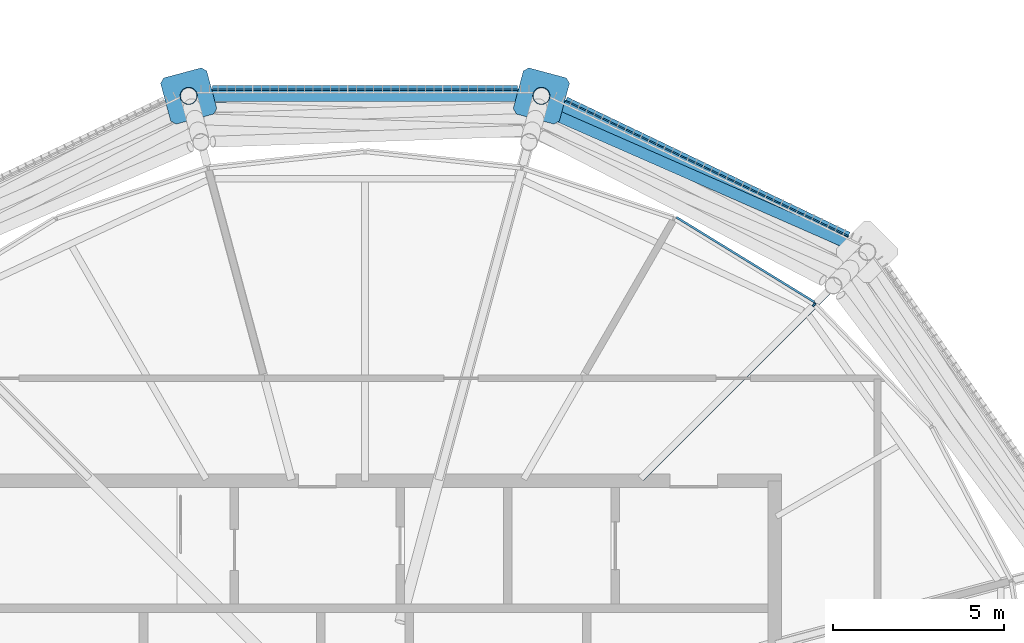
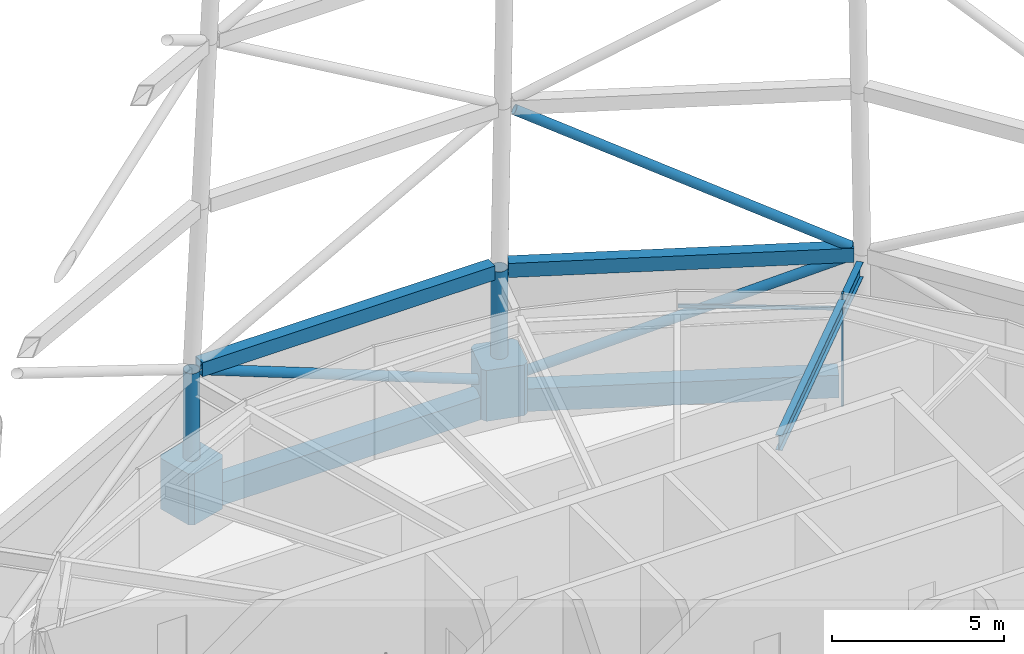
# One storey, part 34 of 71: 9 members, 5 beams, 1 element without a shape of its own.
"""IFC4 building model written with IfcOpenShell, lengths in metres."""

from ifc_helpers import new_model, si_unit, direction, frame, origin, origin_2d, place, context, subcontext, project, spatial, polyline, rectangle, hollow_rectangle, hollow_circle, i_section, outline, extrude, material, material_profile, profile_set, type_object, element, aggregate, save


model = new_model("IFC4")

# Units and contexts
model_context = context("Model", 3, precision=1e-05, world=origin(), true_north=direction((0.0, 1.0)))
body_context = subcontext(model_context, "Body", "Model", "MODEL_VIEW")
ifc_project = project(units=[si_unit("LENGTHUNIT", "METRE"), si_unit("AREAUNIT", "SQUARE_METRE"), si_unit("VOLUMEUNIT", "CUBIC_METRE"), si_unit("PLANEANGLEUNIT", "RADIAN"), si_unit("MASSUNIT", "GRAM", prefix="KILO")], contexts=[model_context])

# Site, building, storey
site_placement = place(None, origin())
site = spatial("IfcSite", under=ifc_project, at=site_placement, CompositionType="ELEMENT")
building_placement = place(site_placement, origin())
building = spatial("IfcBuilding", under=site, at=building_placement, Name="Rimbun Link Towers", CompositionType="ELEMENT")
storey_placement = place(building_placement, frame((0.0, 0.0, 267.60009765625)))
storey = spatial("IfcBuildingStorey", under=building, at=storey_placement, Name="L65", CompositionType="ELEMENT", Elevation=267.60009765625)

# Curtain wall, members
ifc_material_1 = material(Name="Aluminium 6063-T6 louvre wall", Category="aluminium")
curtain_wall_type = type_object("IfcCurtainWallType", Name="CW6 plant floor louvre wall", PredefinedType="NOTDEFINED", material=ifc_material_1)
curtain_wall_placement = place(storey_placement, origin())
curtain_wall = element("IfcCurtainWall", 1, at=curtain_wall_placement, inside=storey, type_object=curtain_wall_type, Name="CW6 L65 T1", PredefinedType="NOTDEFINED")
ifc_material_2 = material(Name="Aluminium 6063-T6", Category="aluminium")
ifc_material_profile_1 = material_profile(ifc_material_2, rectangle(XDim=0.1201171875, YDim=0.06005859375, at=origin_2d()), Name="MULLION 60X120")
ifc_profile_set_1 = profile_set([ifc_material_profile_1], Name="Aluminium 6063-T6")
member_type_1 = type_object("IfcMemberType", Name="CW6 mullion 60X120", PredefinedType="MULLION", material=ifc_profile_set_1)
member_1_placement = place(storey_placement, frame((-18.602294921875, 13.15673828125, 0.0), z_axis=(0.0, 0.0, 1.0), x_axis=(0.627674181492, 0.778476153706, 0.0)))
member_1 = element("IfcMember", 2, at=member_1_placement, type_object=member_type_1, Name="CW6 mullion", PredefinedType="MULLION", context=body_context, shape_type="SweptSolid", body=[
    extrude(rectangle(XDim=0.1201171875, YDim=0.06005859375, at=origin_2d()), origin(), (0.0, 0.0, 1.0), 4.0),
])
ifc_material_3 = material(Name="Aluminium 6063-T6", Category="aluminium")
ifc_material_profile_2 = material_profile(ifc_material_3, rectangle(XDim=0.06005859375, YDim=0.1201171875, at=origin_2d()), Name="TRANSOM 60X120")
ifc_profile_set_2 = profile_set([ifc_material_profile_2], Name="Aluminium 6063-T6")
member_type_2 = type_object("IfcMemberType", Name="CW6 transom 60X120", PredefinedType="USERDEFINED", material=ifc_profile_set_2)
member_2_placement = place(storey_placement, frame((-22.63720703125, 15.717041015625, 3.39990234375), z_axis=(0.852181297772, -0.523246629925, 0.0), x_axis=(0.523246629925, 0.852181297772, 0.0)))
member_2 = element("IfcMember", 3, at=member_2_placement, type_object=member_type_2, Name="CW6 transom", ObjectType="TRANSOM", PredefinedType="USERDEFINED", context=body_context, shape_type="SweptSolid", body=[
    extrude(rectangle(XDim=0.06005859375, YDim=0.1201171875, at=origin_2d()), origin(), (0.0, 0.0, 1.0), 4.740478515625),
])
aggregate(curtain_wall, [member_1, member_2])

# Members
ifc_material_4 = material(Name="Steel S355J2H", Category="steel")
ifc_material_profile_3 = material_profile(ifc_material_4, hollow_circle(Radius=0.161865234375, WallThickness=0.011962890625, at=origin_2d()), Name="Crown frame brace CHS 324x12")
ifc_profile_set_3 = profile_set([ifc_material_profile_3], Name="Steel S355J2H")
member_type_3 = type_object("IfcMemberType", Name="Crown frame brace CHS 324x12", PredefinedType="BRACE", material=ifc_profile_set_3)
member_3_placement = place(storey_placement, frame((-26.25, 19.104736328125, 0.141357421875), z_axis=(0.843668551505, -0.403789691529, 0.353803985585), x_axis=(0.431713068819, 0.902010990072, 0.0)))
element("IfcMember", 4, at=member_3_placement, inside=storey, type_object=member_type_3, Name="CROWN FRAME brace T1 1-01", PredefinedType="BRACE", context=body_context, shape_type="SweptSolid", body=[
    extrude(hollow_circle(Radius=0.161865234375, WallThickness=0.011962890625, at=origin_2d()), origin(), (0.0, 0.0, 1.0), 10.505859375),
])
member_4_placement = place(storey_placement, frame((-26.960693359375, 19.266357421875, 0.144287109375), z_axis=(-0.932458879812, 0.0, 0.361276123567), x_axis=(0.0, -1.0, 0.0)))
element("IfcMember", 5, at=member_4_placement, inside=storey, type_object=member_type_3, Name="CROWN FRAME brace T1 1-02", PredefinedType="BRACE", context=body_context, shape_type="SweptSolid", body=[
    extrude(hollow_circle(Radius=0.161865234375, WallThickness=0.011962890625, at=origin_2d()), origin(), (0.0, 0.0, 1.0), 10.2724609375),
])
member_5_placement = place(storey_placement, frame((-17.366943359375, 14.8408203125, 4.197998046875), z_axis=(-0.795313894138, 0.349121122495, 0.49557063232), x_axis=(-0.401950413178, -0.915661435983, 0.0)))
element("IfcMember", 6, at=member_5_placement, inside=storey, type_object=member_type_3, Name="CROWN FRAME brace T1 2-01", PredefinedType="BRACE", context=body_context, shape_type="SweptSolid", body=[
    extrude(hollow_circle(Radius=0.161865234375, WallThickness=0.011962890625, at=origin_2d()), origin(), (0.0, 0.0, 1.0), 11.3076171875),
])
ifc_material_5 = material(Name="Steel S355J2H", Category="steel")
ifc_material_profile_4 = material_profile(ifc_material_5, hollow_circle(Radius=0.25390625, WallThickness=0.02001953125, at=origin_2d()), Name="Crown frame post CHS 508x20")
ifc_profile_set_4 = profile_set([ifc_material_profile_4], Name="Steel S355J2H")
member_type_4 = type_object("IfcMemberType", Name="Crown frame post CHS 508x20", PredefinedType="POST", material=ifc_profile_set_4)
for number, where, z_axis, x_axis, name in (
    (7, (-26.587646484375, 19.266357421875, 0.0), (0.0, 0.0, 1.0), (1.0, 0.0, 0.0), "CROWN FRAME post T1 1-02"),
    (8, (-36.912353515625, 19.266357421875, 0.0), (0.0, 0.0, 1.0), (1.0, 0.0, 0.0), "CROWN FRAME post T1 1-03"),
):
    element("IfcMember", number, at=place(storey_placement, frame(where, z_axis=z_axis, x_axis=x_axis)), inside=storey, type_object=member_type_4, Name=name, PredefinedType="POST", context=body_context, shape_type="SweptSolid", body=[
        extrude(hollow_circle(Radius=0.25390625, WallThickness=0.02001953125, at=origin_2d()), origin(), (0.0, 0.0, 1.0), 4.0),
    ])

# Beams
ifc_material_6 = material(Name="Steel S355J2", Category="steel")
ifc_material_profile_5 = material_profile(ifc_material_6, hollow_rectangle(XDim=0.39990234375, YDim=0.5, WallThickness=0.02001953125, at=origin_2d()), Name="Crown frame ring beam BOX 400x500x20")
ifc_profile_set_5 = profile_set([ifc_material_profile_5], Name="Steel S355J2")
beam_type_1 = type_object("IfcBeamType", Name="Crown frame ring beam BOX 400x500x20", PredefinedType="BEAM", material=ifc_profile_set_5)
beam_1_placement = place(storey_placement, frame((-17.278076171875, 14.810791015625, 4.0), z_axis=(-0.902020502404, 0.431693193418, 0.0), x_axis=(-0.431693193418, -0.902020502404, 0.0)))
element("IfcBeam", 9, at=beam_1_placement, inside=storey, type_object=beam_type_1, Name="CROWN FRAME ring beam T1 1-01", PredefinedType="BEAM", context=body_context, shape_type="SweptSolid", body=[
    extrude(hollow_rectangle(XDim=0.39990234375, YDim=0.5, WallThickness=0.02001953125, at=origin_2d()), origin(), (0.0, 0.0, 1.0), 10.066650390625),
])
beam_2_placement = place(storey_placement, frame((-26.841552734375, 19.266357421875, 4.0), z_axis=(-1.0, 0.0, 0.0), x_axis=(0.0, -1.0, 0.0)))
element("IfcBeam", 10, at=beam_2_placement, inside=storey, type_object=beam_type_1, Name="CROWN FRAME ring beam T1 1-02", PredefinedType="BEAM", context=body_context, shape_type="SweptSolid", body=[
    extrude(hollow_rectangle(XDim=0.39990234375, YDim=0.5, WallThickness=0.02001953125, at=origin_2d()), origin(), (0.0, 0.0, 1.0), 9.81689453125),
])

# Members
ifc_material_7 = material(Name="Cast steel G20Mn5+QT, Rp0.2 300 MPa", Category="steel")
ifc_material_profile_6 = material_profile(ifc_material_7, outline(polyline([(0.699951171875, -0.570068359375), (0.699951171875, 0.570068359375), (0.570068359375, 0.699951171875), (-0.570068359375, 0.699951171875), (-0.699951171875, 0.570068359375), (-0.699951171875, -0.570068359375), (-0.570068359375, -0.699951171875), (0.570068359375, -0.699951171875), (0.699951171875, -0.570068359375)])), Name="NODE 1400x1400")
ifc_profile_set_6 = profile_set([ifc_material_profile_6], Name="Cast steel G20Mn5+QT, Rp0.2 300 MPa")
member_type_5 = type_object("IfcMemberType", Name="Diagrid node cast 1400", PredefinedType="USERDEFINED", material=ifc_profile_set_6)
for number, where, z_axis, x_axis, name in (
    (11, (-26.587646484375, 19.266357421875, -0.900146484375), (0.0, 0.0, 1.0), (0.258819045103, 0.965925826289, 0.0), "Diagrid node L65 05"),
    (12, (-36.912353515625, 19.266357421875, -0.900146484375), (0.0, 0.0, 1.0), (-0.258819045103, 0.965925826289, 0.0), "Diagrid node L65 07"),
):
    element("IfcMember", number, at=place(storey_placement, frame(where, z_axis=z_axis, x_axis=x_axis)), inside=storey, type_object=member_type_5, Name=name, ObjectType="Diagrid node", PredefinedType="USERDEFINED", context=body_context, shape_type="SweptSolid", body=[
        extrude(outline(polyline([(0.699951171875, -0.570068359375), (0.699951171875, 0.570068359375), (0.570068359375, 0.699951171875), (-0.570068359375, 0.699951171875), (-0.699951171875, 0.570068359375), (-0.699951171875, -0.570068359375), (-0.570068359375, -0.699951171875), (0.570068359375, -0.699951171875), (0.699951171875, -0.570068359375)])), origin(), (0.0, 0.0, 1.0), 1.800048828125),
    ])

# Beams
ifc_material_8 = material(Name="Steel S355J2", Category="steel")
ifc_material_profile_7 = material_profile(ifc_material_8, hollow_rectangle(XDim=0.60009765625, YDim=0.800048828125, WallThickness=0.0400390625, at=origin_2d()), Name="Exoskeleton ring girder BOX 600x800x40")
ifc_profile_set_7 = profile_set([ifc_material_profile_7], Name="Steel S355J2")
beam_type_2 = type_object("IfcBeamType", Name="Exoskeleton ring girder BOX 600x800x40", PredefinedType="BEAM", material=ifc_profile_set_7)
beam_3_placement = place(storey_placement, frame((-17.680419921875, 15.00341796875, -0.56005859375), z_axis=(-0.902021160165, 0.431691819026, 0.0), x_axis=(-0.431691819026, -0.902021160165, 0.0)))
element("IfcBeam", 13, at=beam_3_placement, inside=storey, type_object=beam_type_2, Name="Exoskeleton ring girder L65 01", PredefinedType="BEAM", context=body_context, shape_type="SweptSolid", body=[
    extrude(hollow_rectangle(XDim=0.60009765625, YDim=0.800048828125, WallThickness=0.0400390625, at=origin_2d()), origin(), (0.0, 0.0, 1.0), 9.1748046875),
])
beam_4_placement = place(storey_placement, frame((-27.28759765625, 19.266357421875, -0.56005859375), z_axis=(-1.0, 0.0, 0.0), x_axis=(0.0, -1.0, 0.0)))
element("IfcBeam", 14, at=beam_4_placement, inside=storey, type_object=beam_type_2, Name="Exoskeleton ring girder L65 02", PredefinedType="BEAM", context=body_context, shape_type="SweptSolid", body=[
    extrude(hollow_rectangle(XDim=0.60009765625, YDim=0.800048828125, WallThickness=0.0400390625, at=origin_2d()), origin(), (0.0, 0.0, 1.0), 8.9248046875),
])
ifc_material_9 = material(Name="Steel S355J2", Category="steel")
ifc_material_profile_8 = material_profile(ifc_material_9, i_section(OverallWidth=0.209228515625, OverallDepth=0.533203125, WebThickness=0.010009765625, FlangeThickness=0.015625, at=origin_2d()), Name="UB 533x210x92")
ifc_profile_set_8 = profile_set([ifc_material_profile_8], Name="Steel S355J2")
beam_type_3 = type_object("IfcBeamType", Name="UB 533x210x92", PredefinedType="BEAM", material=ifc_profile_set_8)
beam_5_placement = place(storey_placement, frame((-23.67529296875, 8.07470703125, 3.533447265625), z_axis=(0.707106781187, 0.707106781187, 0.0), x_axis=(-0.707106781187, 0.707106781187, 0.0)))
element("IfcBeam", 15, at=beam_5_placement, inside=storey, type_object=beam_type_3, Name="Radial beam T1 L65 03", PredefinedType="BEAM", context=body_context, shape_type="SweptSolid", body=[
    extrude(i_section(OverallWidth=0.209228515625, OverallDepth=0.533203125, WebThickness=0.010009765625, FlangeThickness=0.015625, at=origin_2d()), origin(), (0.0, 0.0, 1.0), 9.111328125),
])

save(model, "model.ifc")
